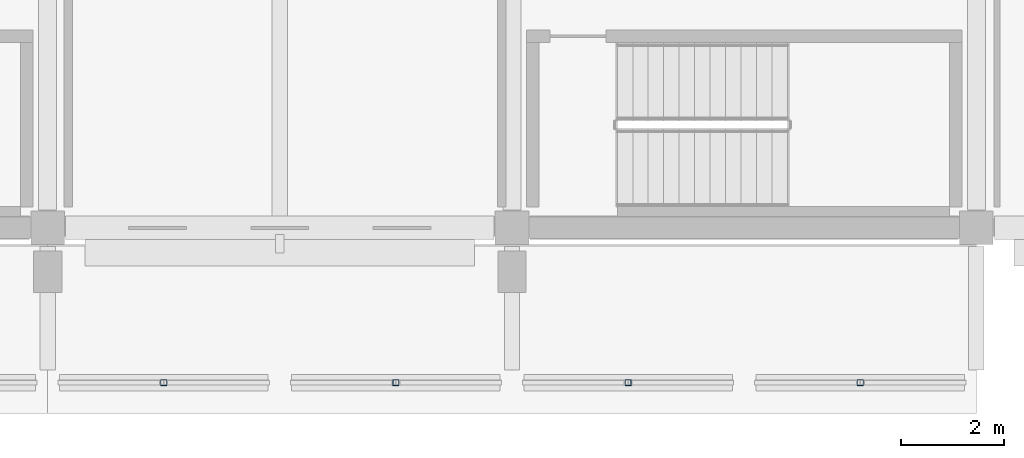
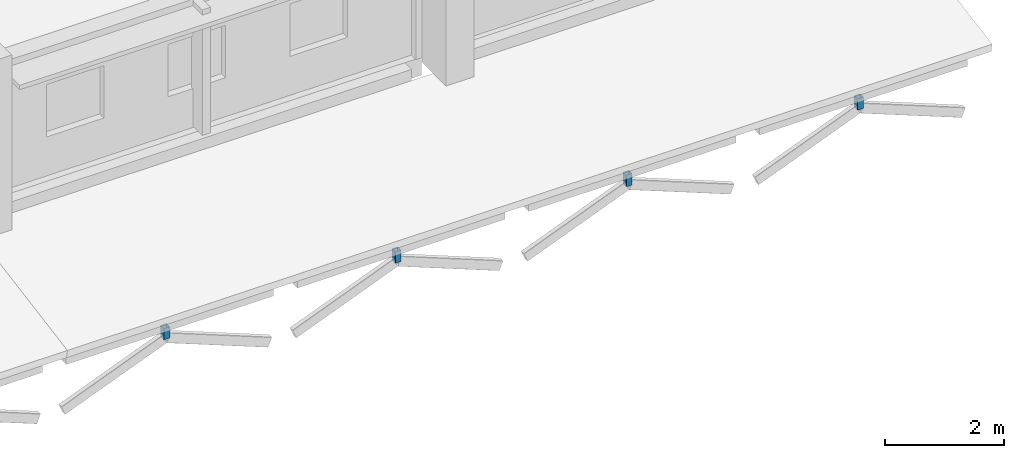
# One storey, part 88 of 132: 4 members.
"""IFC4 building model written with IfcOpenShell, lengths in metres."""

from ifc_helpers import new_model, si_unit, direction, frame, origin, origin_2d, place, context, subcontext, project, spatial, hollow_rectangle, extrude, material, material_profile, profile_set, type_object, element, save


model = new_model("IFC4")

# Units and contexts
model_context = context("Model", 3, precision=1e-05, world=origin(), true_north=direction((0.0, 1.0)))
body_context = subcontext(model_context, "Body", "Model", "MODEL_VIEW")
ifc_project = project(units=[si_unit("LENGTHUNIT", "METRE"), si_unit("AREAUNIT", "SQUARE_METRE"), si_unit("VOLUMEUNIT", "CUBIC_METRE"), si_unit("PLANEANGLEUNIT", "RADIAN"), si_unit("MASSUNIT", "GRAM", prefix="KILO")], contexts=[model_context])

# Site, building, storey
site_placement = place(None, origin())
site = spatial("IfcSite", under=ifc_project, at=site_placement, CompositionType="ELEMENT")
building_placement = place(site_placement, origin())
building = spatial("IfcBuilding", under=site, at=building_placement, Name="Tharagai Park Tramway Depot", CompositionType="ELEMENT")
storey_placement = place(building_placement, frame((0.0, 0.0, 4.800048828125)))
storey = spatial("IfcBuildingStorey", under=building, at=storey_placement, Name="L01", CompositionType="ELEMENT", Elevation=4.800048828125)

# Members
ifc_material = material(Name="Steel E250", Category="steel")
ifc_material_profile = material_profile(ifc_material, hollow_rectangle(XDim=0.1201171875, YDim=0.1201171875, WallThickness=0.0048828125, InnerFilletRadius=0.0048828125, OuterFilletRadius=0.010009765625, at=origin_2d()), Name="SHS 120x120x5")
ifc_profile_set = profile_set([ifc_material_profile], Name="Steel E250")
member_type = type_object("IfcMemberType", Name="BR-08", PredefinedType="BRACE", material=ifc_profile_set)
for number, where, z_axis, x_axis, name in (
    (1, (74.25, -3.0, -1.840087890625), (0.0, 0.0, 1.0), (1.0, 0.0, 0.0), "Pointed Gothic Spandrel Tracery Post BR-08"),
    (2, (78.75, -3.0, -1.840087890625), (0.0, 0.0, 1.0), (1.0, 0.0, 0.0), "Pointed Gothic Spandrel Tracery Post BR-08"),
    (3, (83.25, -3.0, -1.840087890625), (0.0, 0.0, 1.0), (1.0, 0.0, 0.0), "Pointed Gothic Spandrel Tracery Post BR-08"),
    (4, (87.75, -3.0, -1.840087890625), (0.0, 0.0, 1.0), (1.0, 0.0, 0.0), "Pointed Gothic Spandrel Tracery Post BR-08"),
):
    element("IfcMember", number, at=place(storey_placement, frame(where, z_axis=z_axis, x_axis=x_axis)), inside=storey, type_object=member_type, Name=name, PredefinedType="BRACE", context=body_context, shape_type="SweptSolid", body=[
        extrude(hollow_rectangle(XDim=0.1201171875, YDim=0.1201171875, WallThickness=0.0048828125, InnerFilletRadius=0.0048828125, OuterFilletRadius=0.010009765625, at=origin_2d()), origin(), (0.0, 0.0, 1.0), 0.22998046875),
    ])

save(model, "model.ifc")
